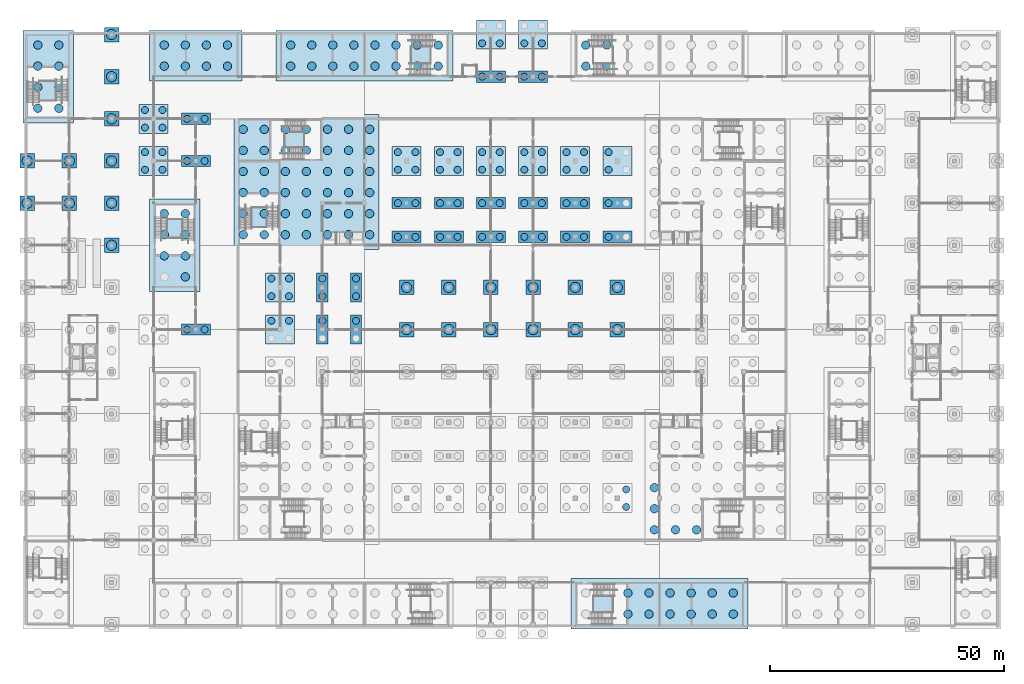
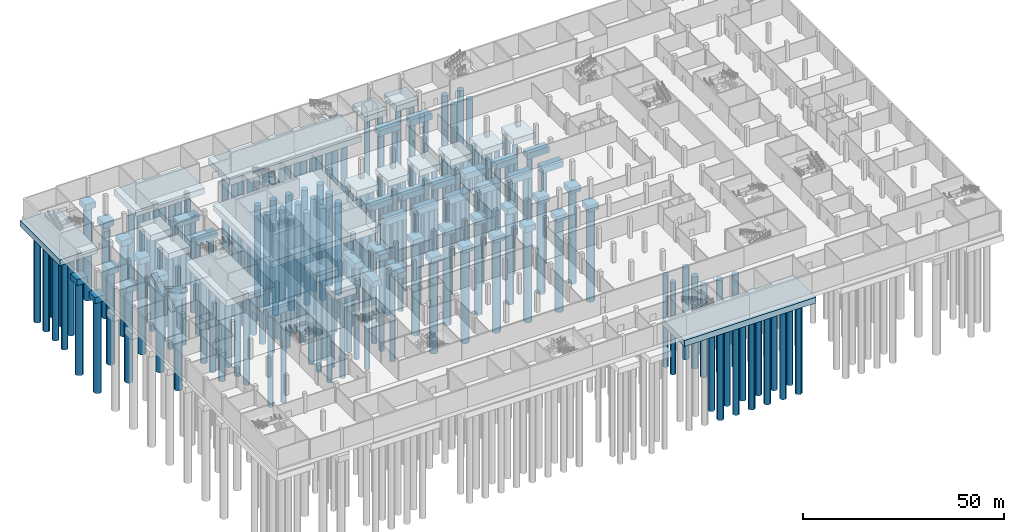
# One storey, part 2 of 42: 204 piles, 61 footings.
"""IFC4 building model written with IfcOpenShell, lengths in metres."""

from ifc_helpers import new_model, si_unit, direction, frame, origin, origin_2d, place, context, subcontext, project, spatial, rectangle, circle, extrude, material, material_profile, profile_set, type_object, element, save


model = new_model("IFC4")

# Units and contexts
model_context = context("Model", 3, precision=1e-05, world=origin(), true_north=direction((0.0, 1.0)))
body_context = subcontext(model_context, "Body", "Model", "MODEL_VIEW")
ifc_project = project(units=[si_unit("LENGTHUNIT", "METRE"), si_unit("AREAUNIT", "SQUARE_METRE"), si_unit("VOLUMEUNIT", "CUBIC_METRE"), si_unit("PLANEANGLEUNIT", "RADIAN"), si_unit("MASSUNIT", "GRAM", prefix="KILO")], contexts=[model_context])

# Site, building, storey
site_placement = place(None, origin())
site = spatial("IfcSite", under=ifc_project, at=site_placement, CompositionType="ELEMENT")
building_placement = place(site_placement, origin())
building = spatial("IfcBuilding", under=site, at=building_placement, Name="Silverbay Arena", CompositionType="ELEMENT")
storey_placement = place(building_placement, frame((0.0, 0.0, -6.0)))
storey = spatial("IfcBuildingStorey", under=building, at=storey_placement, Name="B1", CompositionType="ELEMENT", Elevation=-6.0)

# Piles
ifc_material_1 = material(Name="Concrete Grade C45", Category="concrete")
ifc_material_profile_1 = material_profile(ifc_material_1, circle(Radius=0.75, at=origin_2d()), Name="Bored pile 1500")
ifc_profile_set_1 = profile_set([ifc_material_profile_1], Name="Concrete Grade C45")
pile_type_1 = type_object("IfcPileType", Name="Bored pile 1500", PredefinedType="BORED", material=ifc_profile_set_1)
for number, where, z_axis, x_axis, name in (
    (1, (154.875, 43.125, -3.0), (0.0, 0.0, -1.0), (1.0, 0.0, 0.0), "Bored pile 154.875/43.125"),
    (2, (154.875, 46.875, -3.0), (0.0, 0.0, -1.0), (1.0, 0.0, 0.0), "Bored pile 154.875/46.875"),
    (3, (79.125, 82.875, -3.0), (0.0, 0.0, -1.0), (1.0, 0.0, 0.0), "Bored pile 79.125/82.875"),
    (4, (82.875, 82.875, -3.0), (0.0, 0.0, -1.0), (1.0, 0.0, 0.0), "Bored pile 82.875/82.875"),
    (5, (90.0, 82.875, -3.0), (0.0, 0.0, -1.0), (1.0, 0.0, 0.0), "Bored pile 90/82.875"),
    (6, (97.199951171875, 82.875, -3.0), (0.0, 0.0, -1.0), (1.0, 0.0, 0.0), "Bored pile 97.2/82.875"),
    (7, (61.125, 81.0, -3.0), (0.0, 0.0, -1.0), (1.0, 0.0, 0.0), "Bored pile 61.125/81"),
    (8, (64.875, 81.0, -3.0), (0.0, 0.0, -1.0), (1.0, 0.0, 0.0), "Bored pile 64.875/81"),
    (9, (79.125, 88.125, -3.0), (0.0, 0.0, -1.0), (1.0, 0.0, 0.0), "Bored pile 79.125/88.125"),
    (10, (79.125, 91.875, -3.0), (0.0, 0.0, -1.0), (1.0, 0.0, 0.0), "Bored pile 79.125/91.875"),
    (11, (82.875, 88.125, -3.0), (0.0, 0.0, -1.0), (1.0, 0.0, 0.0), "Bored pile 82.875/88.125"),
    (12, (82.875, 91.875, -3.0), (0.0, 0.0, -1.0), (1.0, 0.0, 0.0), "Bored pile 82.875/91.875"),
    (13, (90.0, 88.125, -3.0), (0.0, 0.0, -1.0), (1.0, 0.0, 0.0), "Bored pile 90/88.125"),
    (14, (90.0, 91.875, -3.0), (0.0, 0.0, -1.0), (1.0, 0.0, 0.0), "Bored pile 90/91.875"),
    (15, (97.199951171875, 88.125, -3.0), (0.0, 0.0, -1.0), (1.0, 0.0, 0.0), "Bored pile 97.2/88.125"),
    (16, (97.199951171875, 91.875, -3.0), (0.0, 0.0, -1.0), (1.0, 0.0, 0.0), "Bored pile 97.2/91.875"),
    (17, (106.125, 100.800048828125, -3.0), (0.0, 0.0, -1.0), (1.0, 0.0, 0.0), "Bored pile 106.125/100.8"),
    (18, (109.875, 100.800048828125, -3.0), (0.0, 0.0, -1.0), (1.0, 0.0, 0.0), "Bored pile 109.875/100.8"),
    (19, (115.125, 100.800048828125, -3.0), (0.0, 0.0, -1.0), (1.0, 0.0, 0.0), "Bored pile 115.125/100.8"),
    (20, (118.875, 100.800048828125, -3.0), (0.0, 0.0, -1.0), (1.0, 0.0, 0.0), "Bored pile 118.875/100.8"),
    (21, (124.125, 100.800048828125, -3.0), (0.0, 0.0, -1.0), (1.0, 0.0, 0.0), "Bored pile 124.125/100.8"),
    (22, (127.875, 100.800048828125, -3.0), (0.0, 0.0, -1.0), (1.0, 0.0, 0.0), "Bored pile 127.875/100.8"),
    (23, (133.125, 100.800048828125, -3.0), (0.0, 0.0, -1.0), (1.0, 0.0, 0.0), "Bored pile 133.125/100.8"),
    (24, (136.875, 100.800048828125, -3.0), (0.0, 0.0, -1.0), (1.0, 0.0, 0.0), "Bored pile 136.875/100.8"),
    (25, (142.125, 100.800048828125, -3.0), (0.0, 0.0, -1.0), (1.0, 0.0, 0.0), "Bored pile 142.125/100.8"),
    (26, (145.875, 100.800048828125, -3.0), (0.0, 0.0, -1.0), (1.0, 0.0, 0.0), "Bored pile 145.875/100.8"),
    (27, (151.125, 100.800048828125, -3.0), (0.0, 0.0, -1.0), (1.0, 0.0, 0.0), "Bored pile 151.125/100.8"),
    (28, (106.125, 108.0, -3.0), (0.0, 0.0, -1.0), (1.0, 0.0, 0.0), "Bored pile 106.125/108"),
    (29, (109.875, 108.0, -3.0), (0.0, 0.0, -1.0), (1.0, 0.0, 0.0), "Bored pile 109.875/108"),
    (30, (115.125, 108.0, -3.0), (0.0, 0.0, -1.0), (1.0, 0.0, 0.0), "Bored pile 115.125/108"),
    (31, (118.875, 108.0, -3.0), (0.0, 0.0, -1.0), (1.0, 0.0, 0.0), "Bored pile 118.875/108"),
    (32, (124.125, 108.0, -3.0), (0.0, 0.0, -1.0), (1.0, 0.0, 0.0), "Bored pile 124.125/108"),
    (33, (127.875, 108.0, -3.0), (0.0, 0.0, -1.0), (1.0, 0.0, 0.0), "Bored pile 127.875/108"),
    (34, (133.125, 108.0, -3.0), (0.0, 0.0, -1.0), (1.0, 0.0, 0.0), "Bored pile 133.125/108"),
    (35, (136.875, 108.0, -3.0), (0.0, 0.0, -1.0), (1.0, 0.0, 0.0), "Bored pile 136.875/108"),
    (36, (142.125, 108.0, -3.0), (0.0, 0.0, -1.0), (1.0, 0.0, 0.0), "Bored pile 142.125/108"),
    (37, (145.875, 108.0, -3.0), (0.0, 0.0, -1.0), (1.0, 0.0, 0.0), "Bored pile 145.875/108"),
    (38, (151.125, 108.0, -3.0), (0.0, 0.0, -1.0), (1.0, 0.0, 0.0), "Bored pile 151.125/108"),
    (39, (52.125, 115.125, -3.0), (0.0, 0.0, -1.0), (1.0, 0.0, 0.0), "Bored pile 52.125/115.125"),
    (40, (52.125, 118.875, -3.0), (0.0, 0.0, -1.0), (1.0, 0.0, 0.0), "Bored pile 52.125/118.875"),
    (41, (55.875, 115.125, -3.0), (0.0, 0.0, -1.0), (1.0, 0.0, 0.0), "Bored pile 55.875/115.125"),
    (42, (55.875, 118.875, -3.0), (0.0, 0.0, -1.0), (1.0, 0.0, 0.0), "Bored pile 55.875/118.875"),
    (43, (106.125, 115.125, -3.0), (0.0, 0.0, -1.0), (1.0, 0.0, 0.0), "Bored pile 106.125/115.125"),
    (44, (106.125, 118.875, -3.0), (0.0, 0.0, -1.0), (1.0, 0.0, 0.0), "Bored pile 106.125/118.875"),
    (45, (109.875, 115.125, -3.0), (0.0, 0.0, -1.0), (1.0, 0.0, 0.0), "Bored pile 109.875/115.125"),
    (46, (109.875, 118.875, -3.0), (0.0, 0.0, -1.0), (1.0, 0.0, 0.0), "Bored pile 109.875/118.875"),
    (47, (115.125, 115.125, -3.0), (0.0, 0.0, -1.0), (1.0, 0.0, 0.0), "Bored pile 115.125/115.125"),
    (48, (115.125, 118.875, -3.0), (0.0, 0.0, -1.0), (1.0, 0.0, 0.0), "Bored pile 115.125/118.875"),
    (49, (118.875, 115.125, -3.0), (0.0, 0.0, -1.0), (1.0, 0.0, 0.0), "Bored pile 118.875/115.125"),
    (50, (118.875, 118.875, -3.0), (0.0, 0.0, -1.0), (1.0, 0.0, 0.0), "Bored pile 118.875/118.875"),
    (51, (124.125, 115.125, -3.0), (0.0, 0.0, -1.0), (1.0, 0.0, 0.0), "Bored pile 124.125/115.125"),
    (52, (124.125, 118.875, -3.0), (0.0, 0.0, -1.0), (1.0, 0.0, 0.0), "Bored pile 124.125/118.875"),
    (53, (127.875, 115.125, -3.0), (0.0, 0.0, -1.0), (1.0, 0.0, 0.0), "Bored pile 127.875/115.125"),
    (54, (127.875, 118.875, -3.0), (0.0, 0.0, -1.0), (1.0, 0.0, 0.0), "Bored pile 127.875/118.875"),
    (55, (133.125, 115.125, -3.0), (0.0, 0.0, -1.0), (1.0, 0.0, 0.0), "Bored pile 133.125/115.125"),
    (56, (133.125, 118.875, -3.0), (0.0, 0.0, -1.0), (1.0, 0.0, 0.0), "Bored pile 133.125/118.875"),
    (57, (136.875, 115.125, -3.0), (0.0, 0.0, -1.0), (1.0, 0.0, 0.0), "Bored pile 136.875/115.125"),
    (58, (136.875, 118.875, -3.0), (0.0, 0.0, -1.0), (1.0, 0.0, 0.0), "Bored pile 136.875/118.875"),
    (59, (142.125, 115.125, -3.0), (0.0, 0.0, -1.0), (1.0, 0.0, 0.0), "Bored pile 142.125/115.125"),
    (60, (142.125, 118.875, -3.0), (0.0, 0.0, -1.0), (1.0, 0.0, 0.0), "Bored pile 142.125/118.875"),
    (61, (145.875, 115.125, -3.0), (0.0, 0.0, -1.0), (1.0, 0.0, 0.0), "Bored pile 145.875/115.125"),
    (62, (145.875, 118.875, -3.0), (0.0, 0.0, -1.0), (1.0, 0.0, 0.0), "Bored pile 145.875/118.875"),
    (63, (151.125, 115.125, -3.0), (0.0, 0.0, -1.0), (1.0, 0.0, 0.0), "Bored pile 151.125/115.125"),
    (64, (151.125, 118.875, -3.0), (0.0, 0.0, -1.0), (1.0, 0.0, 0.0), "Bored pile 151.125/118.875"),
    (65, (61.125, 117.0, -3.0), (0.0, 0.0, -1.0), (1.0, 0.0, 0.0), "Bored pile 61.125/117"),
    (66, (64.875, 117.0, -3.0), (0.0, 0.0, -1.0), (1.0, 0.0, 0.0), "Bored pile 64.875/117"),
    (67, (52.125, 124.125, -3.0), (0.0, 0.0, -1.0), (1.0, 0.0, 0.0), "Bored pile 52.125/124.125"),
    (68, (52.125, 127.875, -3.0), (0.0, 0.0, -1.0), (1.0, 0.0, 0.0), "Bored pile 52.125/127.875"),
    (69, (55.875, 124.125, -3.0), (0.0, 0.0, -1.0), (1.0, 0.0, 0.0), "Bored pile 55.875/124.125"),
    (70, (55.875, 127.875, -3.0), (0.0, 0.0, -1.0), (1.0, 0.0, 0.0), "Bored pile 55.875/127.875"),
    (71, (61.125, 126.0, -3.0), (0.0, 0.0, -1.0), (1.0, 0.0, 0.0), "Bored pile 61.125/126"),
    (72, (64.875, 126.0, -3.0), (0.0, 0.0, -1.0), (1.0, 0.0, 0.0), "Bored pile 64.875/126"),
    (73, (124.125, 135.0, -3.0), (0.0, 0.0, -1.0), (1.0, 0.0, 0.0), "Bored pile 124.125/135"),
    (74, (127.875, 135.0, -3.0), (0.0, 0.0, -1.0), (1.0, 0.0, 0.0), "Bored pile 127.875/135"),
    (75, (133.125, 135.0, -3.0), (0.0, 0.0, -1.0), (1.0, 0.0, 0.0), "Bored pile 133.125/135"),
    (76, (136.875, 135.0, -3.0), (0.0, 0.0, -1.0), (1.0, 0.0, 0.0), "Bored pile 136.875/135"),
    (77, (124.125, 142.125, -3.0), (0.0, 0.0, -1.0), (1.0, 0.0, 0.0), "Bored pile 124.125/142.125"),
    (78, (127.875, 142.125, -3.0), (0.0, 0.0, -1.0), (1.0, 0.0, 0.0), "Bored pile 127.875/142.125"),
    (79, (133.125, 142.125, -3.0), (0.0, 0.0, -1.0), (1.0, 0.0, 0.0), "Bored pile 133.125/142.125"),
    (80, (136.875, 142.125, -3.0), (0.0, 0.0, -1.0), (1.0, 0.0, 0.0), "Bored pile 136.875/142.125"),
):
    element("IfcPile", number, at=place(storey_placement, frame(where, z_axis=z_axis, x_axis=x_axis)), inside=storey, type_object=pile_type_1, Name=name, PredefinedType="BORED", context=body_context, shape_type="SweptSolid", body=[
        extrude(circle(Radius=0.75, at=origin_2d()), origin(), (0.0, 0.0, 1.0), 28.0),
    ])
ifc_material_2 = material(Name="Concrete Grade C45", Category="concrete")
ifc_material_profile_2 = material_profile(ifc_material_2, circle(Radius=0.89990234375, at=origin_2d()), Name="Bored pile 1800")
ifc_profile_set_2 = profile_set([ifc_material_profile_2], Name="Concrete Grade C45")
pile_type_2 = type_object("IfcPileType", Name="Bored pile 1800", PredefinedType="BORED", material=ifc_profile_set_2)
for number, where, z_axis, x_axis, name in (
    (81, (155.25, 20.25, -3.0), (0.0, 0.0, -1.0), (1.0, 0.0, 0.0), "Bored pile 155.25/20.25"),
    (82, (155.25, 24.75, -3.0), (0.0, 0.0, -1.0), (1.0, 0.0, 0.0), "Bored pile 155.25/24.75"),
    (83, (159.75, 20.25, -3.0), (0.0, 0.0, -1.0), (1.0, 0.0, 0.0), "Bored pile 159.75/20.25"),
    (84, (159.75, 24.75, -3.0), (0.0, 0.0, -1.0), (1.0, 0.0, 0.0), "Bored pile 159.75/24.75"),
    (85, (164.25, 20.25, -3.0), (0.0, 0.0, -1.0), (1.0, 0.0, 0.0), "Bored pile 164.25/20.25"),
    (86, (164.25, 24.75, -3.0), (0.0, 0.0, -1.0), (1.0, 0.0, 0.0), "Bored pile 164.25/24.75"),
    (87, (168.75, 20.25, -3.0), (0.0, 0.0, -1.0), (1.0, 0.0, 0.0), "Bored pile 168.75/20.25"),
    (88, (168.75, 24.75, -3.0), (0.0, 0.0, -1.0), (1.0, 0.0, 0.0), "Bored pile 168.75/24.75"),
    (89, (173.25, 20.25, -3.0), (0.0, 0.0, -1.0), (1.0, 0.0, 0.0), "Bored pile 173.25/20.25"),
    (90, (173.25, 24.75, -3.0), (0.0, 0.0, -1.0), (1.0, 0.0, 0.0), "Bored pile 173.25/24.75"),
    (91, (177.75, 20.25, -3.0), (0.0, 0.0, -1.0), (1.0, 0.0, 0.0), "Bored pile 177.75/20.25"),
    (92, (177.75, 24.75, -3.0), (0.0, 0.0, -1.0), (1.0, 0.0, 0.0), "Bored pile 177.75/24.75"),
    (93, (160.89990234375, 38.25, -3.0), (0.0, 0.0, -1.0), (1.0, 0.0, 0.0), "Bored pile 160.9/38.25"),
    (94, (160.89990234375, 42.75, -3.0), (0.0, 0.0, -1.0), (1.0, 0.0, 0.0), "Bored pile 160.9/42.75"),
    (95, (160.89990234375, 47.25, -3.0), (0.0, 0.0, -1.0), (1.0, 0.0, 0.0), "Bored pile 160.9/47.25"),
    (96, (165.39990234375, 38.25, -3.0), (0.0, 0.0, -1.0), (1.0, 0.0, 0.0), "Bored pile 165.4/38.25"),
    (97, (169.89990234375, 38.25, -3.0), (0.0, 0.0, -1.0), (1.0, 0.0, 0.0), "Bored pile 169.9/38.25"),
    (98, (56.25, 96.75, -3.0), (0.0, 0.0, -1.0), (1.0, 0.0, 0.0), "Bored pile 56.25/96.75"),
    (99, (56.25, 101.25, -3.0), (0.0, 0.0, -1.0), (1.0, 0.0, 0.0), "Bored pile 56.25/101.25"),
    (100, (56.25, 105.75, -3.0), (0.0, 0.0, -1.0), (1.0, 0.0, 0.0), "Bored pile 56.25/105.75"),
    (101, (60.75, 92.25, -3.0), (0.0, 0.0, -1.0), (1.0, 0.0, 0.0), "Bored pile 60.75/92.25"),
    (102, (60.75, 96.75, -3.0), (0.0, 0.0, -1.0), (1.0, 0.0, 0.0), "Bored pile 60.75/96.75"),
    (103, (60.75, 101.25, -3.0), (0.0, 0.0, -1.0), (1.0, 0.0, 0.0), "Bored pile 60.75/101.25"),
    (104, (60.75, 105.75, -3.0), (0.0, 0.0, -1.0), (1.0, 0.0, 0.0), "Bored pile 60.75/105.75"),
    (105, (73.10009765625, 101.25, -3.0), (0.0, 0.0, -1.0), (1.0, 0.0, 0.0), "Bored pile 73.1/101.25"),
    (106, (73.10009765625, 105.75, -3.0), (0.0, 0.0, -1.0), (1.0, 0.0, 0.0), "Bored pile 73.1/105.75"),
    (107, (73.10009765625, 110.25, -3.0), (0.0, 0.0, -1.0), (1.0, 0.0, 0.0), "Bored pile 73.1/110.25"),
    (108, (73.10009765625, 114.75, -3.0), (0.0, 0.0, -1.0), (1.0, 0.0, 0.0), "Bored pile 73.1/114.75"),
    (109, (73.10009765625, 119.25, -3.0), (0.0, 0.0, -1.0), (1.0, 0.0, 0.0), "Bored pile 73.1/119.25"),
    (110, (73.10009765625, 123.75, -3.0), (0.0, 0.0, -1.0), (1.0, 0.0, 0.0), "Bored pile 73.1/123.75"),
    (111, (77.60009765625, 101.25, -3.0), (0.0, 0.0, -1.0), (1.0, 0.0, 0.0), "Bored pile 77.6/101.25"),
    (112, (77.60009765625, 105.75, -3.0), (0.0, 0.0, -1.0), (1.0, 0.0, 0.0), "Bored pile 77.6/105.75"),
    (113, (77.60009765625, 110.25, -3.0), (0.0, 0.0, -1.0), (1.0, 0.0, 0.0), "Bored pile 77.6/110.25"),
    (114, (77.60009765625, 114.75, -3.0), (0.0, 0.0, -1.0), (1.0, 0.0, 0.0), "Bored pile 77.6/114.75"),
    (115, (77.60009765625, 119.25, -3.0), (0.0, 0.0, -1.0), (1.0, 0.0, 0.0), "Bored pile 77.6/119.25"),
    (116, (77.60009765625, 123.75, -3.0), (0.0, 0.0, -1.0), (1.0, 0.0, 0.0), "Bored pile 77.6/123.75"),
    (117, (82.10009765625, 101.25, -3.0), (0.0, 0.0, -1.0), (1.0, 0.0, 0.0), "Bored pile 82.1/101.25"),
    (118, (82.10009765625, 105.75, -3.0), (0.0, 0.0, -1.0), (1.0, 0.0, 0.0), "Bored pile 82.1/105.75"),
    (119, (82.10009765625, 110.25, -3.0), (0.0, 0.0, -1.0), (1.0, 0.0, 0.0), "Bored pile 82.1/110.25"),
    (120, (82.10009765625, 114.75, -3.0), (0.0, 0.0, -1.0), (1.0, 0.0, 0.0), "Bored pile 82.1/114.75"),
    (121, (82.10009765625, 119.25, -3.0), (0.0, 0.0, -1.0), (1.0, 0.0, 0.0), "Bored pile 82.1/119.25"),
    (122, (82.10009765625, 123.75, -3.0), (0.0, 0.0, -1.0), (1.0, 0.0, 0.0), "Bored pile 82.1/123.75"),
    (123, (86.60009765625, 101.25, -3.0), (0.0, 0.0, -1.0), (1.0, 0.0, 0.0), "Bored pile 86.6/101.25"),
    (124, (86.60009765625, 105.75, -3.0), (0.0, 0.0, -1.0), (1.0, 0.0, 0.0), "Bored pile 86.6/105.75"),
    (125, (86.60009765625, 110.25, -3.0), (0.0, 0.0, -1.0), (1.0, 0.0, 0.0), "Bored pile 86.6/110.25"),
    (126, (86.60009765625, 114.75, -3.0), (0.0, 0.0, -1.0), (1.0, 0.0, 0.0), "Bored pile 86.6/114.75"),
    (127, (86.60009765625, 119.25, -3.0), (0.0, 0.0, -1.0), (1.0, 0.0, 0.0), "Bored pile 86.6/119.25"),
    (128, (86.60009765625, 123.75, -3.0), (0.0, 0.0, -1.0), (1.0, 0.0, 0.0), "Bored pile 86.6/123.75"),
    (129, (91.10009765625, 101.25, -3.0), (0.0, 0.0, -1.0), (1.0, 0.0, 0.0), "Bored pile 91.1/101.25"),
    (130, (91.10009765625, 105.75, -3.0), (0.0, 0.0, -1.0), (1.0, 0.0, 0.0), "Bored pile 91.1/105.75"),
    (131, (91.10009765625, 110.25, -3.0), (0.0, 0.0, -1.0), (1.0, 0.0, 0.0), "Bored pile 91.1/110.25"),
    (132, (91.10009765625, 114.75, -3.0), (0.0, 0.0, -1.0), (1.0, 0.0, 0.0), "Bored pile 91.1/114.75"),
    (133, (91.10009765625, 119.25, -3.0), (0.0, 0.0, -1.0), (1.0, 0.0, 0.0), "Bored pile 91.1/119.25"),
    (134, (91.10009765625, 123.75, -3.0), (0.0, 0.0, -1.0), (1.0, 0.0, 0.0), "Bored pile 91.1/123.75"),
    (135, (95.60009765625, 101.25, -3.0), (0.0, 0.0, -1.0), (1.0, 0.0, 0.0), "Bored pile 95.6/101.25"),
    (136, (95.60009765625, 105.75, -3.0), (0.0, 0.0, -1.0), (1.0, 0.0, 0.0), "Bored pile 95.6/105.75"),
    (137, (95.60009765625, 110.25, -3.0), (0.0, 0.0, -1.0), (1.0, 0.0, 0.0), "Bored pile 95.6/110.25"),
    (138, (95.60009765625, 114.75, -3.0), (0.0, 0.0, -1.0), (1.0, 0.0, 0.0), "Bored pile 95.6/114.75"),
    (139, (95.60009765625, 119.25, -3.0), (0.0, 0.0, -1.0), (1.0, 0.0, 0.0), "Bored pile 95.6/119.25"),
    (140, (95.60009765625, 123.75, -3.0), (0.0, 0.0, -1.0), (1.0, 0.0, 0.0), "Bored pile 95.6/123.75"),
    (141, (100.10009765625, 101.25, -3.0), (0.0, 0.0, -1.0), (1.0, 0.0, 0.0), "Bored pile 100.1/101.25"),
    (142, (100.10009765625, 105.75, -3.0), (0.0, 0.0, -1.0), (1.0, 0.0, 0.0), "Bored pile 100.1/105.75"),
    (143, (100.10009765625, 110.25, -3.0), (0.0, 0.0, -1.0), (1.0, 0.0, 0.0), "Bored pile 100.1/110.25"),
    (144, (100.10009765625, 114.75, -3.0), (0.0, 0.0, -1.0), (1.0, 0.0, 0.0), "Bored pile 100.1/114.75"),
    (145, (100.10009765625, 119.25, -3.0), (0.0, 0.0, -1.0), (1.0, 0.0, 0.0), "Bored pile 100.1/119.25"),
    (146, (100.10009765625, 123.75, -3.0), (0.0, 0.0, -1.0), (1.0, 0.0, 0.0), "Bored pile 100.1/123.75"),
    (147, (29.25, 128.25, -3.0), (0.0, 0.0, -1.0), (1.0, 0.0, 0.0), "Bored pile 29.25/128.25"),
    (148, (29.25, 132.75, -3.0), (0.0, 0.0, -1.0), (1.0, 0.0, 0.0), "Bored pile 29.25/132.75"),
    (149, (29.25, 137.25, -3.0), (0.0, 0.0, -1.0), (1.0, 0.0, 0.0), "Bored pile 29.25/137.25"),
    (150, (29.25, 141.75, -3.0), (0.0, 0.0, -1.0), (1.0, 0.0, 0.0), "Bored pile 29.25/141.75"),
    (151, (33.75, 128.25, -3.0), (0.0, 0.0, -1.0), (1.0, 0.0, 0.0), "Bored pile 33.75/128.25"),
    (152, (33.75, 132.75, -3.0), (0.0, 0.0, -1.0), (1.0, 0.0, 0.0), "Bored pile 33.75/132.75"),
    (153, (33.75, 137.25, -3.0), (0.0, 0.0, -1.0), (1.0, 0.0, 0.0), "Bored pile 33.75/137.25"),
    (154, (33.75, 141.75, -3.0), (0.0, 0.0, -1.0), (1.0, 0.0, 0.0), "Bored pile 33.75/141.75"),
    (155, (56.25, 137.25, -3.0), (0.0, 0.0, -1.0), (1.0, 0.0, 0.0), "Bored pile 56.25/137.25"),
    (156, (56.25, 141.75, -3.0), (0.0, 0.0, -1.0), (1.0, 0.0, 0.0), "Bored pile 56.25/141.75"),
    (157, (60.75, 137.25, -3.0), (0.0, 0.0, -1.0), (1.0, 0.0, 0.0), "Bored pile 60.75/137.25"),
    (158, (60.75, 141.75, -3.0), (0.0, 0.0, -1.0), (1.0, 0.0, 0.0), "Bored pile 60.75/141.75"),
    (159, (65.25, 137.25, -3.0), (0.0, 0.0, -1.0), (1.0, 0.0, 0.0), "Bored pile 65.25/137.25"),
    (160, (65.25, 141.75, -3.0), (0.0, 0.0, -1.0), (1.0, 0.0, 0.0), "Bored pile 65.25/141.75"),
    (161, (69.75, 137.25, -3.0), (0.0, 0.0, -1.0), (1.0, 0.0, 0.0), "Bored pile 69.75/137.25"),
    (162, (69.75, 141.75, -3.0), (0.0, 0.0, -1.0), (1.0, 0.0, 0.0), "Bored pile 69.75/141.75"),
    (163, (83.25, 137.25, -3.0), (0.0, 0.0, -1.0), (1.0, 0.0, 0.0), "Bored pile 83.25/137.25"),
    (164, (83.25, 141.75, -3.0), (0.0, 0.0, -1.0), (1.0, 0.0, 0.0), "Bored pile 83.25/141.75"),
    (165, (87.75, 137.25, -3.0), (0.0, 0.0, -1.0), (1.0, 0.0, 0.0), "Bored pile 87.75/137.25"),
    (166, (87.75, 141.75, -3.0), (0.0, 0.0, -1.0), (1.0, 0.0, 0.0), "Bored pile 87.75/141.75"),
    (167, (92.25, 137.25, -3.0), (0.0, 0.0, -1.0), (1.0, 0.0, 0.0), "Bored pile 92.25/137.25"),
    (168, (92.25, 141.75, -3.0), (0.0, 0.0, -1.0), (1.0, 0.0, 0.0), "Bored pile 92.25/141.75"),
    (169, (96.75, 137.25, -3.0), (0.0, 0.0, -1.0), (1.0, 0.0, 0.0), "Bored pile 96.75/137.25"),
    (170, (96.75, 141.75, -3.0), (0.0, 0.0, -1.0), (1.0, 0.0, 0.0), "Bored pile 96.75/141.75"),
    (171, (101.25, 137.25, -3.0), (0.0, 0.0, -1.0), (1.0, 0.0, 0.0), "Bored pile 101.25/137.25"),
    (172, (101.25, 141.75, -3.0), (0.0, 0.0, -1.0), (1.0, 0.0, 0.0), "Bored pile 101.25/141.75"),
    (173, (105.75, 137.25, -3.0), (0.0, 0.0, -1.0), (1.0, 0.0, 0.0), "Bored pile 105.75/137.25"),
    (174, (105.75, 141.75, -3.0), (0.0, 0.0, -1.0), (1.0, 0.0, 0.0), "Bored pile 105.75/141.75"),
    (175, (110.25, 137.25, -3.0), (0.0, 0.0, -1.0), (1.0, 0.0, 0.0), "Bored pile 110.25/137.25"),
    (176, (110.25, 141.75, -3.0), (0.0, 0.0, -1.0), (1.0, 0.0, 0.0), "Bored pile 110.25/141.75"),
    (177, (114.75, 137.25, -3.0), (0.0, 0.0, -1.0), (1.0, 0.0, 0.0), "Bored pile 114.75/137.25"),
    (178, (114.75, 141.75, -3.0), (0.0, 0.0, -1.0), (1.0, 0.0, 0.0), "Bored pile 114.75/141.75"),
    (179, (146.25, 137.25, -3.0), (0.0, 0.0, -1.0), (1.0, 0.0, 0.0), "Bored pile 146.25/137.25"),
    (180, (146.25, 141.75, -3.0), (0.0, 0.0, -1.0), (1.0, 0.0, 0.0), "Bored pile 146.25/141.75"),
    (181, (150.75, 137.25, -3.0), (0.0, 0.0, -1.0), (1.0, 0.0, 0.0), "Bored pile 150.75/137.25"),
    (182, (150.75, 141.75, -3.0), (0.0, 0.0, -1.0), (1.0, 0.0, 0.0), "Bored pile 150.75/141.75"),
):
    element("IfcPile", number, at=place(storey_placement, frame(where, z_axis=z_axis, x_axis=x_axis)), inside=storey, type_object=pile_type_2, Name=name, PredefinedType="BORED", context=body_context, shape_type="SweptSolid", body=[
        extrude(circle(Radius=0.89990234375, at=origin_2d()), origin(), (0.0, 0.0, 1.0), 28.0),
    ])
ifc_material_3 = material(Name="Concrete Grade C45", Category="concrete")
ifc_material_profile_3 = material_profile(ifc_material_3, circle(Radius=1.10009765625, at=origin_2d()), Name="Bored pile 2200")
ifc_profile_set_3 = profile_set([ifc_material_profile_3], Name="Concrete Grade C45")
pile_type_3 = type_object("IfcPileType", Name="Bored pile 2200", PredefinedType="BORED", material=ifc_profile_set_3)
for number, where, z_axis, x_axis, name in (
    (183, (108.0, 81.0, -3.0), (0.0, 0.0, -1.0), (1.0, 0.0, 0.0), "Bored pile 108/81"),
    (184, (117.0, 81.0, -3.0), (0.0, 0.0, -1.0), (1.0, 0.0, 0.0), "Bored pile 117/81"),
    (185, (126.0, 81.0, -3.0), (0.0, 0.0, -1.0), (1.0, 0.0, 0.0), "Bored pile 126/81"),
    (186, (135.0, 81.0, -3.0), (0.0, 0.0, -1.0), (1.0, 0.0, 0.0), "Bored pile 135/81"),
    (187, (144.0, 81.0, -3.0), (0.0, 0.0, -1.0), (1.0, 0.0, 0.0), "Bored pile 144/81"),
    (188, (153.0, 81.0, -3.0), (0.0, 0.0, -1.0), (1.0, 0.0, 0.0), "Bored pile 153/81"),
    (189, (108.0, 90.0, -3.0), (0.0, 0.0, -1.0), (1.0, 0.0, 0.0), "Bored pile 108/90"),
    (190, (117.0, 90.0, -3.0), (0.0, 0.0, -1.0), (1.0, 0.0, 0.0), "Bored pile 117/90"),
    (191, (126.0, 90.0, -3.0), (0.0, 0.0, -1.0), (1.0, 0.0, 0.0), "Bored pile 126/90"),
    (192, (135.0, 90.0, -3.0), (0.0, 0.0, -1.0), (1.0, 0.0, 0.0), "Bored pile 135/90"),
    (193, (144.0, 90.0, -3.0), (0.0, 0.0, -1.0), (1.0, 0.0, 0.0), "Bored pile 144/90"),
    (194, (153.0, 90.0, -3.0), (0.0, 0.0, -1.0), (1.0, 0.0, 0.0), "Bored pile 153/90"),
    (195, (45.0, 99.0, -3.0), (0.0, 0.0, -1.0), (1.0, 0.0, 0.0), "Bored pile 45/99"),
    (196, (27.0, 108.0, -3.0), (0.0, 0.0, -1.0), (1.0, 0.0, 0.0), "Bored pile 27/108"),
    (197, (36.0, 108.0, -3.0), (0.0, 0.0, -1.0), (1.0, 0.0, 0.0), "Bored pile 36/108"),
    (198, (45.0, 108.0, -3.0), (0.0, 0.0, -1.0), (1.0, 0.0, 0.0), "Bored pile 45/108"),
    (199, (27.0, 117.0, -3.0), (0.0, 0.0, -1.0), (1.0, 0.0, 0.0), "Bored pile 27/117"),
    (200, (36.0, 117.0, -3.0), (0.0, 0.0, -1.0), (1.0, 0.0, 0.0), "Bored pile 36/117"),
    (201, (45.0, 117.0, -3.0), (0.0, 0.0, -1.0), (1.0, 0.0, 0.0), "Bored pile 45/117"),
    (202, (45.0, 126.0, -3.0), (0.0, 0.0, -1.0), (1.0, 0.0, 0.0), "Bored pile 45/126"),
    (203, (45.0, 135.0, -3.0), (0.0, 0.0, -1.0), (1.0, 0.0, 0.0), "Bored pile 45/135"),
    (204, (45.0, 144.0, -3.0), (0.0, 0.0, -1.0), (1.0, 0.0, 0.0), "Bored pile 45/144"),
):
    element("IfcPile", number, at=place(storey_placement, frame(where, z_axis=z_axis, x_axis=x_axis)), inside=storey, type_object=pile_type_3, Name=name, PredefinedType="BORED", context=body_context, shape_type="SweptSolid", body=[
        extrude(circle(Radius=1.10009765625, at=origin_2d()), origin(), (0.0, 0.0, 1.0), 28.0),
    ])

# Footings
ifc_material_4 = material(Name="Concrete Grade C45", Category="concrete")
footing_type_1 = type_object("IfcFootingType", Name="Pile cap 1 piles 3100x3100x1800", PredefinedType="PILE_CAP", material=ifc_material_4)
for number, where, z_axis, x_axis, name in (
    (205, (108.0, 81.0, -3.0), (0.0, 0.0, 1.0), (1.0, 0.0, 0.0), "Pile cap 108/81"),
    (206, (117.0, 81.0, -3.0), (0.0, 0.0, 1.0), (1.0, 0.0, 0.0), "Pile cap 117/81"),
    (207, (126.0, 81.0, -3.0), (0.0, 0.0, 1.0), (1.0, 0.0, 0.0), "Pile cap 126/81"),
    (208, (135.0, 81.0, -3.0), (0.0, 0.0, 1.0), (1.0, 0.0, 0.0), "Pile cap 135/81"),
    (209, (144.0, 81.0, -3.0), (0.0, 0.0, 1.0), (1.0, 0.0, 0.0), "Pile cap 144/81"),
    (210, (153.0, 81.0, -3.0), (0.0, 0.0, 1.0), (1.0, 0.0, 0.0), "Pile cap 153/81"),
    (211, (108.0, 90.0, -3.0), (0.0, 0.0, 1.0), (1.0, 0.0, 0.0), "Pile cap 108/90"),
    (212, (117.0, 90.0, -3.0), (0.0, 0.0, 1.0), (1.0, 0.0, 0.0), "Pile cap 117/90"),
    (213, (126.0, 90.0, -3.0), (0.0, 0.0, 1.0), (1.0, 0.0, 0.0), "Pile cap 126/90"),
    (214, (135.0, 90.0, -3.0), (0.0, 0.0, 1.0), (1.0, 0.0, 0.0), "Pile cap 135/90"),
    (215, (144.0, 90.0, -3.0), (0.0, 0.0, 1.0), (1.0, 0.0, 0.0), "Pile cap 144/90"),
    (216, (153.0, 90.0, -3.0), (0.0, 0.0, 1.0), (1.0, 0.0, 0.0), "Pile cap 153/90"),
    (217, (45.0, 99.0, -3.0), (0.0, 0.0, 1.0), (1.0, 0.0, 0.0), "Pile cap 45/99"),
    (218, (27.0, 108.0, -3.0), (0.0, 0.0, 1.0), (1.0, 0.0, 0.0), "Pile cap 27/108"),
    (219, (36.0, 108.0, -3.0), (0.0, 0.0, 1.0), (1.0, 0.0, 0.0), "Pile cap 36/108"),
    (220, (45.0, 108.0, -3.0), (0.0, 0.0, 1.0), (1.0, 0.0, 0.0), "Pile cap 45/108"),
    (221, (27.0, 117.0, -3.0), (0.0, 0.0, 1.0), (1.0, 0.0, 0.0), "Pile cap 27/117"),
    (222, (36.0, 117.0, -3.0), (0.0, 0.0, 1.0), (1.0, 0.0, 0.0), "Pile cap 36/117"),
    (223, (45.0, 117.0, -3.0), (0.0, 0.0, 1.0), (1.0, 0.0, 0.0), "Pile cap 45/117"),
    (224, (45.0, 126.0, -3.0), (0.0, 0.0, 1.0), (1.0, 0.0, 0.0), "Pile cap 45/126"),
    (225, (45.0, 135.0, -3.0), (0.0, 0.0, 1.0), (1.0, 0.0, 0.0), "Pile cap 45/135"),
    (226, (45.0, 144.0, -3.0), (0.0, 0.0, 1.0), (1.0, 0.0, 0.0), "Pile cap 45/144"),
):
    element("IfcFooting", number, at=place(storey_placement, frame(where, z_axis=z_axis, x_axis=x_axis)), inside=storey, type_object=footing_type_1, Name=name, PredefinedType="PILE_CAP", context=body_context, shape_type="SweptSolid", body=[
        extrude(rectangle(XDim=3.10009765625, YDim=3.10009765625, at=origin_2d()), origin(), (0.0, 0.0, 1.0), 1.800048828125),
    ])
ifc_material_5 = material(Name="Concrete Grade C45", Category="concrete")
footing_type_2 = type_object("IfcFootingType", Name="Pile cap 16 piles 37800x10800x1800", PredefinedType="PILE_CAP", material=ifc_material_5)
for number, where, z_axis, x_axis, name in (
    (227, (162.0, 22.5, -3.0), (0.0, 0.0, 1.0), (1.0, 0.0, 0.0), "Pile cap 162/22.5"),
    (228, (99.0, 139.5, -3.0), (0.0, 0.0, 1.0), (1.0, 0.0, 0.0), "Pile cap 99/139.5"),
):
    element("IfcFooting", number, at=place(storey_placement, frame(where, z_axis=z_axis, x_axis=x_axis)), inside=storey, type_object=footing_type_2, Name=name, PredefinedType="PILE_CAP", context=body_context, shape_type="SweptSolid", body=[
        extrude(rectangle(XDim=37.800048828125, YDim=10.800048828125, at=origin_2d()), origin(), (0.0, 0.0, 1.0), 1.800048828125),
    ])
ifc_material_6 = material(Name="Concrete Grade C45", Category="concrete")
footing_type_3 = type_object("IfcFootingType", Name="Pile cap 2 piles 2400x6200x1800", PredefinedType="PILE_CAP", material=ifc_material_6)
for number, where, z_axis, x_axis, name in (
    (229, (90.0, 81.0, -3.0), (0.0, 0.0, 1.0), (1.0, 0.0, 0.0), "Pile cap 90/81"),
    (230, (97.199951171875, 81.0, -3.0), (0.0, 0.0, 1.0), (1.0, 0.0, 0.0), "Pile cap 97.2/81"),
    (231, (90.0, 90.0, -3.0), (0.0, 0.0, 1.0), (1.0, 0.0, 0.0), "Pile cap 90/90"),
    (232, (97.199951171875, 90.0, -3.0), (0.0, 0.0, 1.0), (1.0, 0.0, 0.0), "Pile cap 97.2/90"),
):
    element("IfcFooting", number, at=place(storey_placement, frame(where, z_axis=z_axis, x_axis=x_axis)), inside=storey, type_object=footing_type_3, Name=name, PredefinedType="PILE_CAP", context=body_context, shape_type="SweptSolid", body=[
        extrude(rectangle(XDim=2.39990234375, YDim=6.199951171875, at=origin_2d()), origin(), (0.0, 0.0, 1.0), 1.800048828125),
    ])
ifc_material_7 = material(Name="Concrete Grade C45", Category="concrete")
footing_type_4 = type_object("IfcFootingType", Name="Pile cap 2 piles 6200x2400x1800", PredefinedType="PILE_CAP", material=ifc_material_7)
for number, where, z_axis, x_axis, name in (
    (233, (63.0, 81.0, -3.0), (0.0, 0.0, 1.0), (1.0, 0.0, 0.0), "Pile cap 63/81"),
    (234, (108.0, 100.800048828125, -3.0), (0.0, 0.0, 1.0), (1.0, 0.0, 0.0), "Pile cap 108/100.8"),
    (235, (117.0, 100.800048828125, -3.0), (0.0, 0.0, 1.0), (1.0, 0.0, 0.0), "Pile cap 117/100.8"),
    (236, (126.0, 100.800048828125, -3.0), (0.0, 0.0, 1.0), (1.0, 0.0, 0.0), "Pile cap 126/100.8"),
    (237, (135.0, 100.800048828125, -3.0), (0.0, 0.0, 1.0), (1.0, 0.0, 0.0), "Pile cap 135/100.8"),
    (238, (144.0, 100.800048828125, -3.0), (0.0, 0.0, 1.0), (1.0, 0.0, 0.0), "Pile cap 144/100.8"),
    (239, (153.0, 100.800048828125, -3.0), (0.0, 0.0, 1.0), (1.0, 0.0, 0.0), "Pile cap 153/100.8"),
    (240, (108.0, 108.0, -3.0), (0.0, 0.0, 1.0), (1.0, 0.0, 0.0), "Pile cap 108/108"),
    (241, (117.0, 108.0, -3.0), (0.0, 0.0, 1.0), (1.0, 0.0, 0.0), "Pile cap 117/108"),
    (242, (126.0, 108.0, -3.0), (0.0, 0.0, 1.0), (1.0, 0.0, 0.0), "Pile cap 126/108"),
    (243, (135.0, 108.0, -3.0), (0.0, 0.0, 1.0), (1.0, 0.0, 0.0), "Pile cap 135/108"),
    (244, (144.0, 108.0, -3.0), (0.0, 0.0, 1.0), (1.0, 0.0, 0.0), "Pile cap 144/108"),
    (245, (153.0, 108.0, -3.0), (0.0, 0.0, 1.0), (1.0, 0.0, 0.0), "Pile cap 153/108"),
    (246, (63.0, 117.0, -3.0), (0.0, 0.0, 1.0), (1.0, 0.0, 0.0), "Pile cap 63/117"),
    (247, (63.0, 126.0, -3.0), (0.0, 0.0, 1.0), (1.0, 0.0, 0.0), "Pile cap 63/126"),
    (248, (126.0, 135.0, -3.0), (0.0, 0.0, 1.0), (1.0, 0.0, 0.0), "Pile cap 126/135"),
    (249, (135.0, 135.0, -3.0), (0.0, 0.0, 1.0), (1.0, 0.0, 0.0), "Pile cap 135/135"),
):
    element("IfcFooting", number, at=place(storey_placement, frame(where, z_axis=z_axis, x_axis=x_axis)), inside=storey, type_object=footing_type_4, Name=name, PredefinedType="PILE_CAP", context=body_context, shape_type="SweptSolid", body=[
        extrude(rectangle(XDim=6.199951171875, YDim=2.39990234375, at=origin_2d()), origin(), (0.0, 0.0, 1.0), 1.800048828125),
    ])
ifc_material_8 = material(Name="Concrete Grade C45", Category="concrete")
footing_type_5 = type_object("IfcFootingType", Name="Pile cap 4 piles 6200x6200x1800", PredefinedType="PILE_CAP", material=ifc_material_8)
for number, where, z_axis, x_axis, name in (
    (250, (81.0, 81.0, -3.0), (0.0, 0.0, 1.0), (1.0, 0.0, 0.0), "Pile cap 81/81"),
    (251, (81.0, 90.0, -3.0), (0.0, 0.0, 1.0), (1.0, 0.0, 0.0), "Pile cap 81/90"),
    (252, (54.0, 117.0, -3.0), (0.0, 0.0, 1.0), (1.0, 0.0, 0.0), "Pile cap 54/117"),
    (253, (108.0, 117.0, -3.0), (0.0, 0.0, 1.0), (1.0, 0.0, 0.0), "Pile cap 108/117"),
    (254, (117.0, 117.0, -3.0), (0.0, 0.0, 1.0), (1.0, 0.0, 0.0), "Pile cap 117/117"),
    (255, (126.0, 117.0, -3.0), (0.0, 0.0, 1.0), (1.0, 0.0, 0.0), "Pile cap 126/117"),
    (256, (135.0, 117.0, -3.0), (0.0, 0.0, 1.0), (1.0, 0.0, 0.0), "Pile cap 135/117"),
    (257, (144.0, 117.0, -3.0), (0.0, 0.0, 1.0), (1.0, 0.0, 0.0), "Pile cap 144/117"),
    (258, (153.0, 117.0, -3.0), (0.0, 0.0, 1.0), (1.0, 0.0, 0.0), "Pile cap 153/117"),
    (259, (54.0, 126.0, -3.0), (0.0, 0.0, 1.0), (1.0, 0.0, 0.0), "Pile cap 54/126"),
    (260, (126.0, 144.0, -3.0), (0.0, 0.0, 1.0), (1.0, 0.0, 0.0), "Pile cap 126/144"),
    (261, (135.0, 144.0, -3.0), (0.0, 0.0, 1.0), (1.0, 0.0, 0.0), "Pile cap 135/144"),
):
    element("IfcFooting", number, at=place(storey_placement, frame(where, z_axis=z_axis, x_axis=x_axis)), inside=storey, type_object=footing_type_5, Name=name, PredefinedType="PILE_CAP", context=body_context, shape_type="SweptSolid", body=[
        extrude(rectangle(XDim=6.199951171875, YDim=6.199951171875, at=origin_2d()), origin(), (0.0, 0.0, 1.0), 1.800048828125),
    ])
ifc_material_9 = material(Name="Concrete Grade C45", Category="concrete")
footing_type_6 = type_object("IfcFootingType", Name="Pile cap 42 piles 31000x28800x1800", PredefinedType="PILE_CAP", material=ifc_material_9)
footing_1_placement = place(storey_placement, frame((86.60009765625, 112.5, -3.0), z_axis=(0.0, 0.0, 1.0), x_axis=(1.0, 0.0, 0.0)))
element("IfcFooting", 262, at=footing_1_placement, inside=storey, type_object=footing_type_6, Name="Pile cap 86.6/112.5", PredefinedType="PILE_CAP", context=body_context, shape_type="SweptSolid", body=[
    extrude(rectangle(XDim=31.0, YDim=28.800048828125, at=origin_2d()), origin(), (0.0, 0.0, 1.0), 1.800048828125),
])
ifc_material_10 = material(Name="Concrete Grade C45", Category="concrete")
footing_type_7 = type_object("IfcFootingType", Name="Pile cap 8 piles 10800x19800x1800", PredefinedType="PILE_CAP", material=ifc_material_10)
for number, where, z_axis, x_axis, name in (
    (263, (58.5, 99.0, -3.0), (0.0, 0.0, 1.0), (1.0, 0.0, 0.0), "Pile cap 58.5/99"),
    (264, (31.5, 135.0, -3.0), (0.0, 0.0, 1.0), (1.0, 0.0, 0.0), "Pile cap 31.5/135"),
):
    element("IfcFooting", number, at=place(storey_placement, frame(where, z_axis=z_axis, x_axis=x_axis)), inside=storey, type_object=footing_type_7, Name=name, PredefinedType="PILE_CAP", context=body_context, shape_type="SweptSolid", body=[
        extrude(rectangle(XDim=10.800048828125, YDim=19.800048828125, at=origin_2d()), origin(), (0.0, 0.0, 1.0), 1.800048828125),
    ])
ifc_material_11 = material(Name="Concrete Grade C45", Category="concrete")
footing_type_8 = type_object("IfcFootingType", Name="Pile cap 8 piles 19800x10800x1800", PredefinedType="PILE_CAP", material=ifc_material_11)
footing_2_placement = place(storey_placement, frame((63.0, 139.5, -3.0), z_axis=(0.0, 0.0, 1.0), x_axis=(1.0, 0.0, 0.0)))
element("IfcFooting", 265, at=footing_2_placement, inside=storey, type_object=footing_type_8, Name="Pile cap 63/139.5", PredefinedType="PILE_CAP", context=body_context, shape_type="SweptSolid", body=[
    extrude(rectangle(XDim=19.800048828125, YDim=10.800048828125, at=origin_2d()), origin(), (0.0, 0.0, 1.0), 1.800048828125),
])

save(model, "model.ifc")
